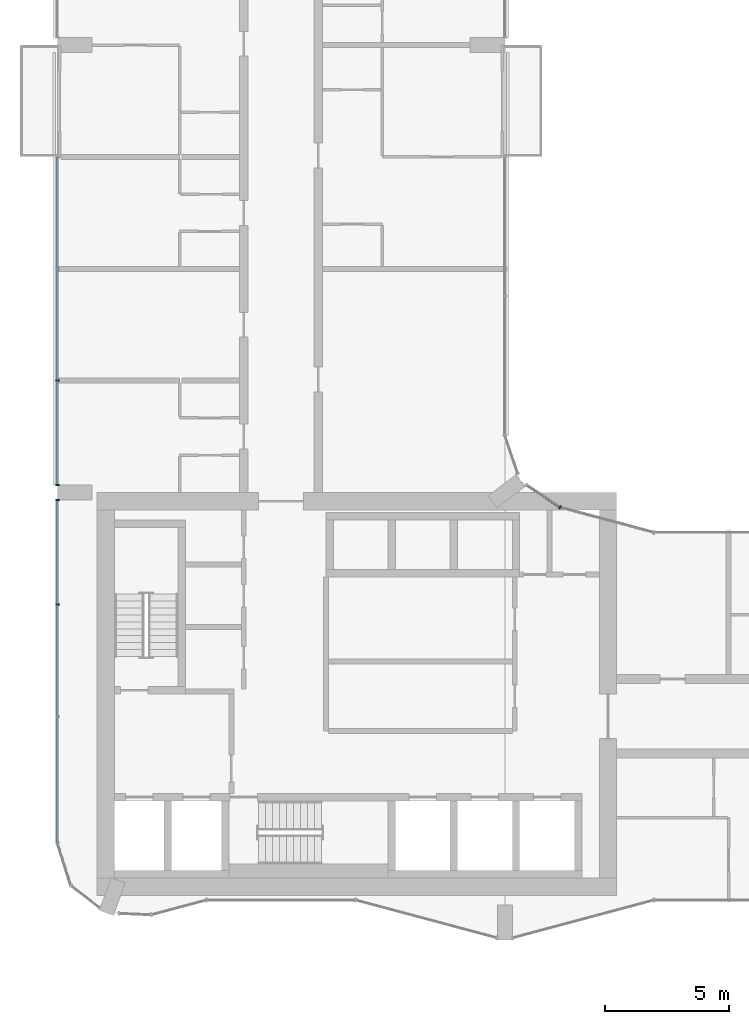
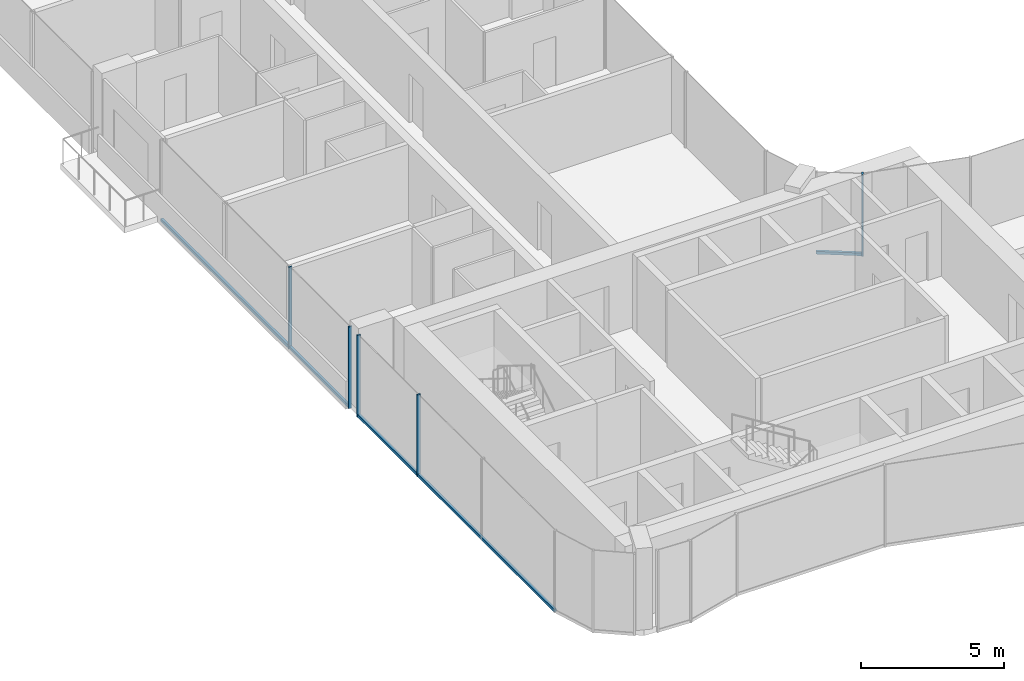
# One storey, part 3 of 22: 8 members, 3 elements without a shape of their own.
"""IFC4 building model written with IfcOpenShell, lengths in metres."""

from ifc_helpers import new_model, si_unit, direction, frame, origin, origin_2d, place, context, subcontext, project, spatial, rectangle, extrude, material, layer, layer_set, material_profile, profile_set, type_object, element, aggregate, save


model = new_model("IFC4")

# Units and contexts
model_context = context("Model", 3, precision=1e-05, world=origin(), true_north=direction((0.0, 1.0)))
body_context = subcontext(model_context, "Body", "Model", "MODEL_VIEW")
ifc_project = project(units=[si_unit("LENGTHUNIT", "METRE"), si_unit("AREAUNIT", "SQUARE_METRE"), si_unit("VOLUMEUNIT", "CUBIC_METRE"), si_unit("PLANEANGLEUNIT", "RADIAN"), si_unit("MASSUNIT", "GRAM", prefix="KILO")], contexts=[model_context])

# Site, building, storey
site_placement = place(None, origin())
site = spatial("IfcSite", under=ifc_project, at=site_placement, CompositionType="ELEMENT")
building_placement = place(site_placement, origin())
building = spatial("IfcBuilding", under=site, at=building_placement, Name="Plateau Cross Towers", CompositionType="ELEMENT")
storey_placement = place(building_placement, frame((0.0, 0.0, 65.300048828125)))
storey = spatial("IfcBuildingStorey", under=building, at=storey_placement, Name="L16", CompositionType="ELEMENT", Elevation=65.300048828125)

# Curtain wall, member
ifc_material_1 = material(Name="Dark low-iron glass", Category="glass")
ifc_layer = layer(ifc_material_1, 0.239990234375)
ifc_layer_set = layer_set([ifc_layer], Name="Dark low-iron glass")
curtain_wall_type = type_object("IfcCurtainWallType", Name="Curtain wall flush unitised CW-B", PredefinedType="NOTDEFINED", material=ifc_layer_set)
curtain_wall_1_placement = place(storey_placement, origin())
curtain_wall_1 = element("IfcCurtainWall", 1, at=curtain_wall_1_placement, inside=storey, type_object=curtain_wall_type, Name="ENV/A/L16/A202_174", PredefinedType="NOTDEFINED")
ifc_material_2 = material(Name="Black anodised aluminium", Category="aluminium")
ifc_material_profile_1 = material_profile(ifc_material_2, rectangle(XDim=0.06005859375, YDim=0.139892578125, at=origin_2d()), Name="MULLION 60x140")
ifc_profile_set_1 = profile_set([ifc_material_profile_1], Name="Black anodised aluminium")
member_type_1 = type_object("IfcMemberType", Name="Mullion 60x140 flush unitised", PredefinedType="MULLION", material=ifc_profile_set_1)
member_1_placement = place(storey_placement, frame((20.223876953125, 17.404296875, -0.25), z_axis=(0.0, 0.0, 1.0), x_axis=(-0.831521253329, 0.555492938984, 0.0)))
member_1 = element("IfcMember", 2, at=member_1_placement, type_object=member_type_1, Name="CW-B mullion 1", PredefinedType="MULLION", context=body_context, shape_type="SweptSolid", body=[
    extrude(rectangle(XDim=0.06005859375, YDim=0.139892578125, at=origin_2d()), origin(), (0.0, 0.0, 1.0), 3.5),
])

# Curtain wall, members
curtain_wall_2_placement = place(storey_placement, origin())
curtain_wall_2 = element("IfcCurtainWall", 3, at=curtain_wall_2_placement, inside=storey, type_object=curtain_wall_type, Name="ENV/A/L16/A0_315", PredefinedType="NOTDEFINED")
member_2_placement = place(storey_placement, frame((0.0, 22.5, -0.25), z_axis=(0.0, 0.0, 1.0), x_axis=(0.0, -1.0, 0.0)))
member_2 = element("IfcMember", 4, at=member_2_placement, type_object=member_type_1, Name="CW-B mullion 3", PredefinedType="MULLION", context=body_context, shape_type="SweptSolid", body=[
    extrude(rectangle(XDim=0.06005859375, YDim=0.139892578125, at=origin_2d()), origin(), (0.0, 0.0, 1.0), 3.5),
])
member_3_placement = place(storey_placement, frame((0.0, 18.300048828125, -0.25), z_axis=(0.0, 0.0, 1.0), x_axis=(0.0, -1.0, 0.0)))
member_3 = element("IfcMember", 5, at=member_3_placement, type_object=member_type_1, Name="CW-B mullion 4", PredefinedType="MULLION", context=body_context, shape_type="SweptSolid", body=[
    extrude(rectangle(XDim=0.06005859375, YDim=0.139892578125, at=origin_2d()), origin(), (0.0, 0.0, 1.0), 3.5),
])

curtain_wall_3_placement = place(storey_placement, origin())
curtain_wall_3 = element("IfcCurtainWall", 6, at=curtain_wall_3_placement, inside=storey, type_object=curtain_wall_type, Name="ENV/A/L16/A0_177", PredefinedType="NOTDEFINED")
member_4_placement = place(storey_placement, frame((0.0, 17.699951171875, -0.25), z_axis=(0.0, 0.0, 1.0), x_axis=(0.0, -1.0, 0.0)))
member_4 = element("IfcMember", 7, at=member_4_placement, type_object=member_type_1, Name="CW-B mullion 1", PredefinedType="MULLION", context=body_context, shape_type="SweptSolid", body=[
    extrude(rectangle(XDim=0.06005859375, YDim=0.139892578125, at=origin_2d()), origin(), (0.0, 0.0, 1.0), 3.5),
])
member_5_placement = place(storey_placement, frame((0.0, 13.5, -0.25), z_axis=(0.0, 0.0, 1.0), x_axis=(0.0, -1.0, 0.0)))
member_5 = element("IfcMember", 8, at=member_5_placement, type_object=member_type_1, Name="CW-B mullion 2", PredefinedType="MULLION", context=body_context, shape_type="SweptSolid", body=[
    extrude(rectangle(XDim=0.06005859375, YDim=0.139892578125, at=origin_2d()), origin(), (0.0, 0.0, 1.0), 3.5),
])

# Member
ifc_material_profile_2 = material_profile(ifc_material_2, rectangle(XDim=0.10009765625, YDim=0.1201171875, at=origin_2d()), Name="TRANSOM 100x120")
ifc_profile_set_2 = profile_set([ifc_material_profile_2], Name="Black anodised aluminium")
member_type_2 = type_object("IfcMemberType", Name="Transom 100x120 flush unitised", PredefinedType="USERDEFINED", material=ifc_profile_set_2)
member_6_placement = place(storey_placement, frame((20.223876953125, 17.404296875, -0.18994140625), z_axis=(-0.831496402487, 0.555530136582, 0.0), x_axis=(-0.555530136582, -0.831496402487, 0.0)))
member_6 = element("IfcMember", 9, at=member_6_placement, type_object=member_type_2, Name="CW-B transom", ObjectType="TRANSOM", PredefinedType="USERDEFINED", context=body_context, shape_type="SweptSolid", body=[
    extrude(rectangle(XDim=0.10009765625, YDim=0.1201171875, at=origin_2d()), origin(), (0.0, 0.0, 1.0), 1.628662109375),
])

aggregate(curtain_wall_1, [member_1, member_6])

member_7_placement = place(storey_placement, frame((0.0, 31.489990234375, -0.18994140625), z_axis=(0.0, -1.0, 0.0), x_axis=(1.0, 0.0, 0.0)))
member_7 = element("IfcMember", 10, at=member_7_placement, type_object=member_type_2, Name="CW-B transom", ObjectType="TRANSOM", PredefinedType="USERDEFINED", context=body_context, shape_type="SweptSolid", body=[
    extrude(rectangle(XDim=0.10009765625, YDim=0.1201171875, at=origin_2d()), origin(), (0.0, 0.0, 1.0), 13.18994140625),
])

aggregate(curtain_wall_2, [member_2, member_3, member_7])

member_8_placement = place(storey_placement, frame((0.0, 17.699951171875, -0.18994140625), z_axis=(0.0, -1.0, 0.0), x_axis=(1.0, 0.0, 0.0)))
member_8 = element("IfcMember", 11, at=member_8_placement, type_object=member_type_2, Name="CW-B transom", ObjectType="TRANSOM", PredefinedType="USERDEFINED", context=body_context, shape_type="SweptSolid", body=[
    extrude(rectangle(XDim=0.10009765625, YDim=0.1201171875, at=origin_2d()), origin(), (0.0, 0.0, 1.0), 13.790771484375),
])

aggregate(curtain_wall_3, [member_4, member_5, member_8])

save(model, "model.ifc")
